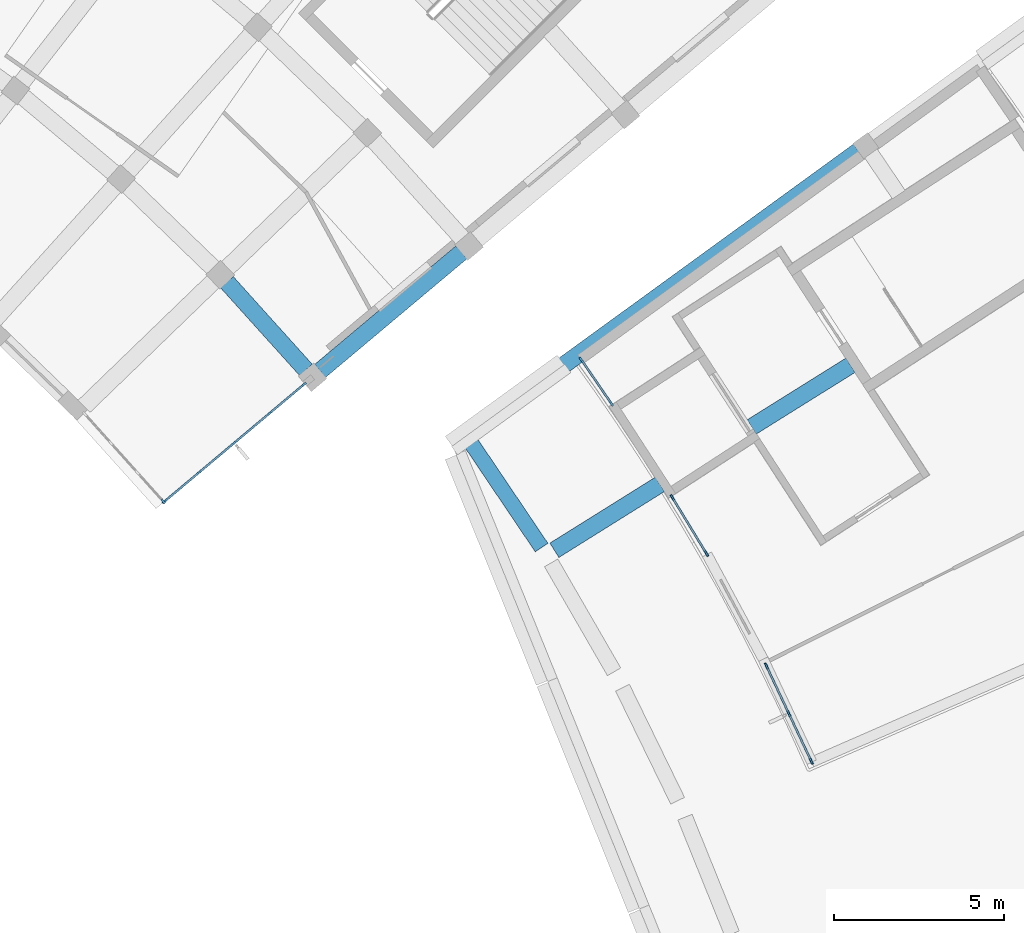
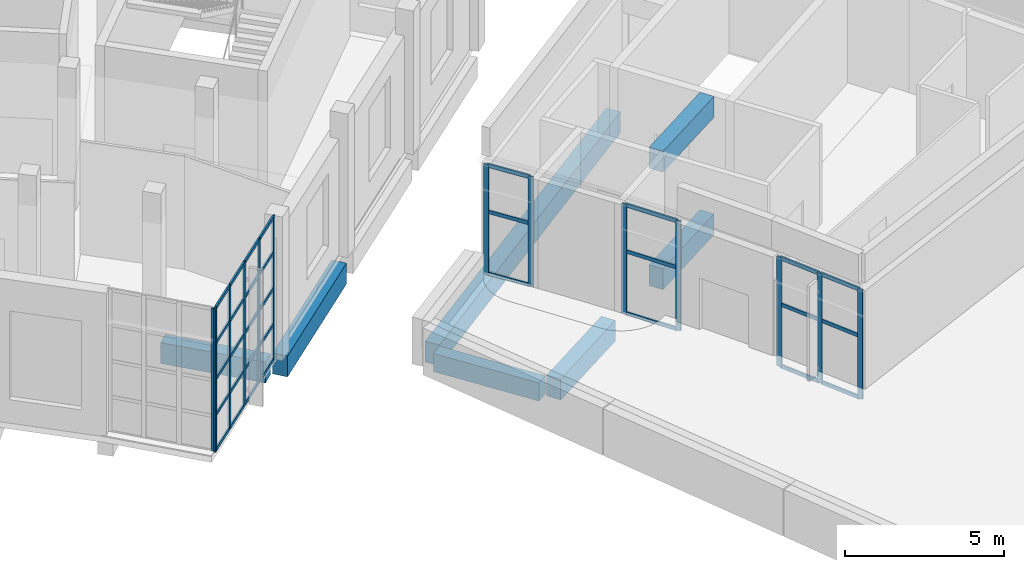
# One storey, part 45 of 132: 45 members, 7 beams, 5 elements without a shape of their own.
"""IFC4 building model written with IfcOpenShell, lengths in metres."""

from ifc_helpers import new_model, si_unit, direction, frame, origin, origin_2d, place, context, subcontext, project, spatial, rectangle, extrude, material, layer, layer_set, material_profile, profile_set, type_object, element, aggregate, save


model = new_model("IFC4")

# Units and contexts
model_context = context("Model", 3, precision=1e-05, world=origin(), true_north=direction((0.0, 1.0)))
body_context = subcontext(model_context, "Body", "Model", "MODEL_VIEW")
ifc_project = project(units=[si_unit("LENGTHUNIT", "METRE"), si_unit("AREAUNIT", "SQUARE_METRE"), si_unit("VOLUMEUNIT", "CUBIC_METRE"), si_unit("PLANEANGLEUNIT", "RADIAN"), si_unit("MASSUNIT", "GRAM", prefix="KILO")], contexts=[model_context])

# Site, building, storey
site_placement = place(None, origin())
site = spatial("IfcSite", under=ifc_project, at=site_placement, CompositionType="ELEMENT")
building_placement = place(site_placement, origin())
building = spatial("IfcBuilding", under=site, at=building_placement, Name="Lunette Opera House", CompositionType="ELEMENT")
storey_placement = place(building_placement, frame((0.0, 0.0, 17.0)))
storey = spatial("IfcBuildingStorey", under=building, at=storey_placement, Name="L03", CompositionType="ELEMENT", Elevation=17.0)

# Curtain wall, member
ifc_material_1 = material(Name="Aluminium", Category="aluminium")
ifc_layer_1 = layer(ifc_material_1, 0.159912109375)
ifc_layer_set_1 = layer_set([ifc_layer_1], Name="Aluminium")
curtain_wall_type_1 = type_object("IfcCurtainWallType", Name="CORNER CURTAIN WALL", PredefinedType="NOTDEFINED", material=ifc_layer_set_1)
curtain_wall_1_placement = place(storey_placement, origin())
curtain_wall_1 = element("IfcCurtainWall", 1, at=curtain_wall_1_placement, inside=storey, type_object=curtain_wall_type_1, Name="Corner Curtain Wall GC-E1 L03", PredefinedType="NOTDEFINED")
ifc_material_2 = material(Name="Aluminium", Category="aluminium")
ifc_material_profile_1 = material_profile(ifc_material_2, rectangle(XDim=0.06005859375, YDim=0.159912109375, at=origin_2d()), Name="MULLION 60 X 160")
ifc_profile_set_1 = profile_set([ifc_material_profile_1], Name="Aluminium")
member_type_1 = type_object("IfcMemberType", Name="MULLION 60 X 160", PredefinedType="MULLION", material=ifc_profile_set_1)
member_1_placement = place(storey_placement, frame((136.0439453125, 33.640380859375, 0.0), z_axis=(0.0, 0.0, 1.0), x_axis=(0.744216793887, 0.667938143615, 0.0)))
member_1 = element("IfcMember", 2, at=member_1_placement, type_object=member_type_1, Name="FC-X2177 mullion 4", PredefinedType="MULLION", context=body_context, shape_type="SweptSolid", body=[
    extrude(rectangle(XDim=0.06005859375, YDim=0.159912109375, at=origin_2d()), origin(), (0.0, 0.0, 1.0), 5.5),
])
aggregate(curtain_wall_1, [member_1])

# Curtain wall, members
curtain_wall_2_placement = place(storey_placement, origin())
curtain_wall_2 = element("IfcCurtainWall", 3, at=curtain_wall_2_placement, inside=storey, type_object=curtain_wall_type_1, Name="Corner Curtain Wall GC-E2 L03", PredefinedType="NOTDEFINED")
member_2_placement = place(storey_placement, frame((136.0869140625, 33.63720703125, 0.0), z_axis=(0.0, 0.0, 1.0), x_axis=(-0.642840201999, 0.766000309852, 0.0)))
member_2 = element("IfcMember", 4, at=member_2_placement, type_object=member_type_1, Name="FC-X2178 mullion 1", PredefinedType="MULLION", context=body_context, shape_type="SweptSolid", body=[
    extrude(rectangle(XDim=0.06005859375, YDim=0.159912109375, at=origin_2d()), origin(), (0.0, 0.0, 1.0), 5.5),
])
member_3_placement = place(storey_placement, frame((137.097900390625, 34.48583984375, 0.0), z_axis=(0.0, 0.0, 1.0), x_axis=(-0.642840201999, 0.766000309852, 0.0)))
member_3 = element("IfcMember", 5, at=member_3_placement, type_object=member_type_1, Name="FC-X2178 mullion 2", PredefinedType="MULLION", context=body_context, shape_type="SweptSolid", body=[
    extrude(rectangle(XDim=0.06005859375, YDim=0.159912109375, at=origin_2d()), origin(), (0.0, 0.0, 1.0), 5.5),
])
member_4_placement = place(storey_placement, frame((138.132080078125, 35.353515625, 0.0), z_axis=(0.0, 0.0, 1.0), x_axis=(-0.642840201999, 0.766000309852, 0.0)))
member_4 = element("IfcMember", 6, at=member_4_placement, type_object=member_type_1, Name="FC-X2178 mullion 3", PredefinedType="MULLION", context=body_context, shape_type="SweptSolid", body=[
    extrude(rectangle(XDim=0.06005859375, YDim=0.159912109375, at=origin_2d()), origin(), (0.0, 0.0, 1.0), 5.5),
])
member_5_placement = place(storey_placement, frame((139.166015625, 36.22119140625, 0.0), z_axis=(0.0, 0.0, 1.0), x_axis=(-0.642840201999, 0.766000309852, 0.0)))
member_5 = element("IfcMember", 7, at=member_5_placement, type_object=member_type_1, Name="FC-X2178 mullion 4", PredefinedType="MULLION", context=body_context, shape_type="SweptSolid", body=[
    extrude(rectangle(XDim=0.06005859375, YDim=0.159912109375, at=origin_2d()), origin(), (0.0, 0.0, 1.0), 5.5),
])
member_6_placement = place(storey_placement, frame((140.177001953125, 37.06982421875, 0.0), z_axis=(0.0, 0.0, 1.0), x_axis=(-0.642840201999, 0.766000309852, 0.0)))
member_6 = element("IfcMember", 8, at=member_6_placement, type_object=member_type_1, Name="FC-X2178 mullion 5", PredefinedType="MULLION", context=body_context, shape_type="SweptSolid", body=[
    extrude(rectangle(XDim=0.06005859375, YDim=0.159912109375, at=origin_2d()), origin(), (0.0, 0.0, 1.0), 5.5),
])

ifc_material_3 = material(Name="Aluminium", Category="aluminium")
ifc_layer_2 = layer(ifc_material_3, 0.179931640625)
ifc_layer_set_2 = layer_set([ifc_layer_2], Name="Aluminium")
curtain_wall_type_2 = type_object("IfcCurtainWallType", Name="SUN FACE CURTAIN WALL", PredefinedType="NOTDEFINED", material=ifc_layer_set_2)
curtain_wall_3_placement = place(storey_placement, origin())
curtain_wall_3 = element("IfcCurtainWall", 9, at=curtain_wall_3_placement, inside=storey, type_object=curtain_wall_type_2, Name="Sun Face Curtain Wall PAV3 L03", PredefinedType="NOTDEFINED")
ifc_material_4 = material(Name="Aluminium", Category="aluminium")
ifc_material_profile_2 = material_profile(ifc_material_4, rectangle(XDim=0.06005859375, YDim=0.179931640625, at=origin_2d()), Name="MULLION 60 X 180")
ifc_profile_set_2 = profile_set([ifc_material_profile_2], Name="Aluminium")
member_type_2 = type_object("IfcMemberType", Name="MULLION 60 X 180", PredefinedType="MULLION", material=ifc_profile_set_2)
member_7_placement = place(storey_placement, frame((148.325927734375, 37.794189453125, 0.0), z_axis=(0.0, 0.0, 1.0), x_axis=(0.825002153661, 0.565129583772, 0.0)))
member_7 = element("IfcMember", 10, at=member_7_placement, type_object=member_type_2, Name="SB-X2019 mullion 1", PredefinedType="MULLION", context=body_context, shape_type="SweptSolid", body=[
    extrude(rectangle(XDim=0.06005859375, YDim=0.179931640625, at=origin_2d()), origin(), (0.0, 0.0, 1.0), 4.199951171875),
])
member_8_placement = place(storey_placement, frame((149.200927734375, 36.516845703125, 0.0), z_axis=(0.0, 0.0, 1.0), x_axis=(0.825002153661, 0.565129583772, 0.0)))
member_8 = element("IfcMember", 11, at=member_8_placement, type_object=member_type_2, Name="SB-X2019 mullion 2", PredefinedType="MULLION", context=body_context, shape_type="SweptSolid", body=[
    extrude(rectangle(XDim=0.06005859375, YDim=0.179931640625, at=origin_2d()), origin(), (0.0, 0.0, 1.0), 4.199951171875),
])

curtain_wall_4_placement = place(storey_placement, origin())
curtain_wall_4 = element("IfcCurtainWall", 12, at=curtain_wall_4_placement, inside=storey, type_object=curtain_wall_type_2, Name="Sun Face Curtain Wall PAV4 L03", PredefinedType="NOTDEFINED")
member_9_placement = place(storey_placement, frame((150.99755859375, 33.748291015625, 0.0), z_axis=(0.0, 0.0, 1.0), x_axis=(0.85400379552, 0.520266775066, 0.0)))
member_9 = element("IfcMember", 13, at=member_9_placement, type_object=member_type_2, Name="SB-X2020 mullion 1", PredefinedType="MULLION", context=body_context, shape_type="SweptSolid", body=[
    extrude(rectangle(XDim=0.06005859375, YDim=0.179931640625, at=origin_2d()), origin(), (0.0, 0.0, 1.0), 4.199951171875),
])
member_10_placement = place(storey_placement, frame((151.998291015625, 32.105712890625, 0.0), z_axis=(0.0, 0.0, 1.0), x_axis=(0.85400379552, 0.520266775066, 0.0)))
member_10 = element("IfcMember", 14, at=member_10_placement, type_object=member_type_2, Name="SB-X2020 mullion 2", PredefinedType="MULLION", context=body_context, shape_type="SweptSolid", body=[
    extrude(rectangle(XDim=0.06005859375, YDim=0.179931640625, at=origin_2d()), origin(), (0.0, 0.0, 1.0), 4.199951171875),
])

curtain_wall_5_placement = place(storey_placement, origin())
curtain_wall_5 = element("IfcCurtainWall", 15, at=curtain_wall_5_placement, inside=storey, type_object=curtain_wall_type_2, Name="Sun Face Curtain Wall PAV6 L03", PredefinedType="NOTDEFINED")
member_11_placement = place(storey_placement, frame((153.7587890625, 28.807861328125, 0.0), z_axis=(0.0, 0.0, 1.0), x_axis=(0.904818702205, 0.425797036322, 0.0)))
member_11 = element("IfcMember", 16, at=member_11_placement, type_object=member_type_2, Name="SB-X2021 mullion 1", PredefinedType="MULLION", context=body_context, shape_type="SweptSolid", body=[
    extrude(rectangle(XDim=0.06005859375, YDim=0.179931640625, at=origin_2d()), origin(), (0.0, 0.0, 1.0), 4.199951171875),
])
member_12_placement = place(storey_placement, frame((154.41796875, 27.406982421875, 0.0), z_axis=(0.0, 0.0, 1.0), x_axis=(0.904818702205, 0.425797036322, 0.0)))
member_12 = element("IfcMember", 17, at=member_12_placement, type_object=member_type_2, Name="SB-X2021 mullion 2", PredefinedType="MULLION", context=body_context, shape_type="SweptSolid", body=[
    extrude(rectangle(XDim=0.06005859375, YDim=0.179931640625, at=origin_2d()), origin(), (0.0, 0.0, 1.0), 4.199951171875),
])
member_13_placement = place(storey_placement, frame((155.0771484375, 26.006103515625, 0.0), z_axis=(0.0, 0.0, 1.0), x_axis=(0.904818702205, 0.425797036322, 0.0)))
member_13 = element("IfcMember", 18, at=member_13_placement, type_object=member_type_2, Name="SB-X2021 mullion 3", PredefinedType="MULLION", context=body_context, shape_type="SweptSolid", body=[
    extrude(rectangle(XDim=0.06005859375, YDim=0.179931640625, at=origin_2d()), origin(), (0.0, 0.0, 1.0), 4.199951171875),
])

# Beams
ifc_material_5 = material(Name="Concrete C35/45", Category="concrete")
ifc_material_profile_3 = material_profile(ifc_material_5, rectangle(XDim=0.449951171875, YDim=0.699951171875, at=origin_2d()), Name="RC BEAM 450X700")
ifc_profile_set_3 = profile_set([ifc_material_profile_3], Name="Concrete C35/45")
beam_type_1 = type_object("IfcBeamType", Name="RC BEAM 450X700", PredefinedType="BEAM", material=ifc_profile_set_3)
beam_1_placement = place(storey_placement, frame((145.093994140625, 35.341064453125, -0.64990234375), z_axis=(0.559238901912, -0.829006544358, 0.0), x_axis=(0.829006544358, 0.559238901912, 0.0)))
element("IfcBeam", 19, at=beam_1_placement, inside=storey, type_object=beam_type_1, Name="beam-SB-L03-L03G-RG00", PredefinedType="BEAM", context=body_context, shape_type="SweptSolid", body=[
    extrude(rectangle(XDim=0.449951171875, YDim=0.699951171875, at=origin_2d()), origin(), (0.0, 0.0, 1.0), 3.6923828125),
])
ifc_material_6 = material(Name="Concrete C35/45", Category="concrete")
ifc_material_profile_4 = material_profile(ifc_material_6, rectangle(XDim=0.5, YDim=0.800048828125, at=origin_2d()), Name="RC BEAM 500X800")
ifc_profile_set_4 = profile_set([ifc_material_profile_4], Name="Concrete C35/45")
beam_type_2 = type_object("IfcBeamType", Name="RC BEAM 500X800", PredefinedType="BEAM", material=ifc_profile_set_4)
beam_2_placement = place(storey_placement, frame((140.653076171875, 37.468017578125, -0.6201171875), z_axis=(0.766038417281, 0.642794790932, 0.0), x_axis=(-0.642794790932, 0.766038417281, 0.0)))
element("IfcBeam", 20, at=beam_2_placement, inside=storey, type_object=beam_type_2, Name="beam-FC-L03-L03-RB-RL-26-2", PredefinedType="BEAM", context=body_context, shape_type="SweptSolid", body=[
    extrude(rectangle(XDim=0.5, YDim=0.800048828125, at=origin_2d()), origin(), (0.0, 0.0, 1.0), 5.419921875),
])
beam_3_placement = place(storey_placement, frame((137.916015625, 40.073974609375, -0.6201171875), z_axis=(0.66939642039, -0.742905399341, 0.0), x_axis=(0.742905399341, 0.66939642039, 0.0)))
element("IfcBeam", 21, at=beam_3_placement, inside=storey, type_object=beam_type_2, Name="beam-FC-L03-L03-RG-AR-M1-RL-25", PredefinedType="BEAM", context=body_context, shape_type="SweptSolid", body=[
    extrude(rectangle(XDim=0.5, YDim=0.800048828125, at=origin_2d()), origin(), (0.0, 0.0, 1.0), 3.46728515625),
])
beam_4_placement = place(storey_placement, frame((145.159912109375, 35.717041015625, -0.699951171875), z_axis=(0.809032229307, 0.587764282636, 0.0), x_axis=(-0.587764282636, 0.809032229307, 0.0)))
element("IfcBeam", 22, at=beam_4_placement, inside=storey, type_object=beam_type_2, Name="beam-SB-L03-L03G-RB00", PredefinedType="BEAM", context=body_context, shape_type="SweptSolid", body=[
    extrude(rectangle(XDim=0.5, YDim=0.800048828125, at=origin_2d()), origin(), (0.0, 0.0, 1.0), 13.9697265625),
])
beam_5_placement = place(storey_placement, frame((147.531982421875, 32.200927734375, -0.699951171875), z_axis=(0.848110889275, 0.529818760986, 0.0), x_axis=(-0.529818760986, 0.848110889275, 0.0)))
element("IfcBeam", 23, at=beam_5_placement, inside=storey, type_object=beam_type_2, Name="beam-SB-L03-L03G-RB01", PredefinedType="BEAM", context=body_context, shape_type="SweptSolid", body=[
    extrude(rectangle(XDim=0.5, YDim=0.800048828125, at=origin_2d()), origin(), (0.0, 0.0, 1.0), 3.654052734375),
])
for number, where, z_axis, x_axis, name in (
    (24, (153.3291015625, 35.822998046875, -0.699951171875), (0.848054454248, 0.529909089024, 0.0), (-0.529909089024, 0.848054454248, 0.0), "beam-SB-L03-L03G-RB01-1"),
    (25, (153.3291015625, 35.822998046875, 3.800048828125), (0.848054454248, 0.529909089024, 0.0), (-0.529909089024, 0.848054454248, 0.0), "beam-SB-L03-L03R-RB01"),
):
    element("IfcBeam", number, at=place(storey_placement, frame(where, z_axis=z_axis, x_axis=x_axis)), inside=storey, type_object=beam_type_2, Name=name, PredefinedType="BEAM", context=body_context, shape_type="SweptSolid", body=[
        extrude(rectangle(XDim=0.5, YDim=0.800048828125, at=origin_2d()), origin(), (0.0, 0.0, 1.0), 3.41943359375),
    ])

# Member
ifc_material_7 = material(Name="Aluminium", Category="aluminium")
ifc_material_profile_5 = material_profile(ifc_material_7, rectangle(XDim=0.06005859375, YDim=0.1201171875, at=origin_2d()), Name="TRANSOM 60 X 120")
ifc_profile_set_5 = profile_set([ifc_material_profile_5], Name="Aluminium")
member_type_3 = type_object("IfcMemberType", Name="TRANSOM 60 X 120", PredefinedType="USERDEFINED", material=ifc_profile_set_5)
member_14_placement = place(storey_placement, frame((136.10986328125, 33.656494140625, 0.030029296875), z_axis=(0.765945288288, 0.642905759307, 0.0), x_axis=(-0.642905759307, 0.765945288288, 0.0)))
member_14 = element("IfcMember", 26, at=member_14_placement, type_object=member_type_3, Name="FC-X2178 transom 1.1", ObjectType="TRANSOM", PredefinedType="USERDEFINED", context=body_context, shape_type="SweptSolid", body=[
    extrude(rectangle(XDim=0.06005859375, YDim=0.1201171875, at=origin_2d()), origin(), (0.0, 0.0, 1.0), 1.260009765625),
])

member_15_placement = place(storey_placement, frame((136.10986328125, 33.656494140625, 1.375), z_axis=(0.765945288288, 0.642905759307, 0.0), x_axis=(-0.642905759307, 0.765945288288, 0.0)))
member_15 = element("IfcMember", 27, at=member_15_placement, type_object=member_type_3, Name="FC-X2178 transom 1.2", ObjectType="TRANSOM", PredefinedType="USERDEFINED", context=body_context, shape_type="SweptSolid", body=[
    extrude(rectangle(XDim=0.06005859375, YDim=0.1201171875, at=origin_2d()), origin(), (0.0, 0.0, 1.0), 1.260009765625),
])

member_16_placement = place(storey_placement, frame((136.10986328125, 33.656494140625, 2.75), z_axis=(0.765945288288, 0.642905759307, 0.0), x_axis=(-0.642905759307, 0.765945288288, 0.0)))
member_16 = element("IfcMember", 28, at=member_16_placement, type_object=member_type_3, Name="FC-X2178 transom 1.3", ObjectType="TRANSOM", PredefinedType="USERDEFINED", context=body_context, shape_type="SweptSolid", body=[
    extrude(rectangle(XDim=0.06005859375, YDim=0.1201171875, at=origin_2d()), origin(), (0.0, 0.0, 1.0), 1.260009765625),
])

member_17_placement = place(storey_placement, frame((136.10986328125, 33.656494140625, 4.125), z_axis=(0.765945288288, 0.642905759307, 0.0), x_axis=(-0.642905759307, 0.765945288288, 0.0)))
member_17 = element("IfcMember", 29, at=member_17_placement, type_object=member_type_3, Name="FC-X2178 transom 1.4", ObjectType="TRANSOM", PredefinedType="USERDEFINED", context=body_context, shape_type="SweptSolid", body=[
    extrude(rectangle(XDim=0.06005859375, YDim=0.1201171875, at=origin_2d()), origin(), (0.0, 0.0, 1.0), 1.260009765625),
])

member_18_placement = place(storey_placement, frame((136.10986328125, 33.656494140625, 5.469970703125), z_axis=(0.765945288288, 0.642905759307, 0.0), x_axis=(-0.642905759307, 0.765945288288, 0.0)))
member_18 = element("IfcMember", 30, at=member_18_placement, type_object=member_type_3, Name="FC-X2178 transom 1.5", ObjectType="TRANSOM", PredefinedType="USERDEFINED", context=body_context, shape_type="SweptSolid", body=[
    extrude(rectangle(XDim=0.06005859375, YDim=0.1201171875, at=origin_2d()), origin(), (0.0, 0.0, 1.0), 1.260009765625),
])

member_19_placement = place(storey_placement, frame((137.12109375, 34.505126953125, 0.030029296875), z_axis=(0.76602917681, 0.642805802927, 0.0), x_axis=(-0.642805802927, 0.76602917681, 0.0)))
member_19 = element("IfcMember", 31, at=member_19_placement, type_object=member_type_3, Name="FC-X2178 transom 2.1", ObjectType="TRANSOM", PredefinedType="USERDEFINED", context=body_context, shape_type="SweptSolid", body=[
    extrude(rectangle(XDim=0.06005859375, YDim=0.1201171875, at=origin_2d()), origin(), (0.0, 0.0, 1.0), 1.289794921875),
])

member_20_placement = place(storey_placement, frame((137.12109375, 34.505126953125, 1.375), z_axis=(0.76602917681, 0.642805802927, 0.0), x_axis=(-0.642805802927, 0.76602917681, 0.0)))
member_20 = element("IfcMember", 32, at=member_20_placement, type_object=member_type_3, Name="FC-X2178 transom 2.2", ObjectType="TRANSOM", PredefinedType="USERDEFINED", context=body_context, shape_type="SweptSolid", body=[
    extrude(rectangle(XDim=0.06005859375, YDim=0.1201171875, at=origin_2d()), origin(), (0.0, 0.0, 1.0), 1.289794921875),
])

member_21_placement = place(storey_placement, frame((137.12109375, 34.505126953125, 2.75), z_axis=(0.76602917681, 0.642805802927, 0.0), x_axis=(-0.642805802927, 0.76602917681, 0.0)))
member_21 = element("IfcMember", 33, at=member_21_placement, type_object=member_type_3, Name="FC-X2178 transom 2.3", ObjectType="TRANSOM", PredefinedType="USERDEFINED", context=body_context, shape_type="SweptSolid", body=[
    extrude(rectangle(XDim=0.06005859375, YDim=0.1201171875, at=origin_2d()), origin(), (0.0, 0.0, 1.0), 1.289794921875),
])

member_22_placement = place(storey_placement, frame((137.12109375, 34.505126953125, 4.125), z_axis=(0.76602917681, 0.642805802927, 0.0), x_axis=(-0.642805802927, 0.76602917681, 0.0)))
member_22 = element("IfcMember", 34, at=member_22_placement, type_object=member_type_3, Name="FC-X2178 transom 2.4", ObjectType="TRANSOM", PredefinedType="USERDEFINED", context=body_context, shape_type="SweptSolid", body=[
    extrude(rectangle(XDim=0.06005859375, YDim=0.1201171875, at=origin_2d()), origin(), (0.0, 0.0, 1.0), 1.289794921875),
])

member_23_placement = place(storey_placement, frame((137.12109375, 34.505126953125, 5.469970703125), z_axis=(0.76602917681, 0.642805802927, 0.0), x_axis=(-0.642805802927, 0.76602917681, 0.0)))
member_23 = element("IfcMember", 35, at=member_23_placement, type_object=member_type_3, Name="FC-X2178 transom 2.5", ObjectType="TRANSOM", PredefinedType="USERDEFINED", context=body_context, shape_type="SweptSolid", body=[
    extrude(rectangle(XDim=0.06005859375, YDim=0.1201171875, at=origin_2d()), origin(), (0.0, 0.0, 1.0), 1.289794921875),
])

member_24_placement = place(storey_placement, frame((138.155029296875, 35.372802734375, 0.030029296875), z_axis=(0.76602917681, 0.642805802927, 0.0), x_axis=(-0.642805802927, 0.76602917681, 0.0)))
member_24 = element("IfcMember", 36, at=member_24_placement, type_object=member_type_3, Name="FC-X2178 transom 3.1", ObjectType="TRANSOM", PredefinedType="USERDEFINED", context=body_context, shape_type="SweptSolid", body=[
    extrude(rectangle(XDim=0.06005859375, YDim=0.1201171875, at=origin_2d()), origin(), (0.0, 0.0, 1.0), 1.289794921875),
])

member_25_placement = place(storey_placement, frame((138.155029296875, 35.372802734375, 1.375), z_axis=(0.76602917681, 0.642805802927, 0.0), x_axis=(-0.642805802927, 0.76602917681, 0.0)))
member_25 = element("IfcMember", 37, at=member_25_placement, type_object=member_type_3, Name="FC-X2178 transom 3.2", ObjectType="TRANSOM", PredefinedType="USERDEFINED", context=body_context, shape_type="SweptSolid", body=[
    extrude(rectangle(XDim=0.06005859375, YDim=0.1201171875, at=origin_2d()), origin(), (0.0, 0.0, 1.0), 1.289794921875),
])

member_26_placement = place(storey_placement, frame((138.155029296875, 35.372802734375, 2.75), z_axis=(0.76602917681, 0.642805802927, 0.0), x_axis=(-0.642805802927, 0.76602917681, 0.0)))
member_26 = element("IfcMember", 38, at=member_26_placement, type_object=member_type_3, Name="FC-X2178 transom 3.3", ObjectType="TRANSOM", PredefinedType="USERDEFINED", context=body_context, shape_type="SweptSolid", body=[
    extrude(rectangle(XDim=0.06005859375, YDim=0.1201171875, at=origin_2d()), origin(), (0.0, 0.0, 1.0), 1.289794921875),
])

member_27_placement = place(storey_placement, frame((138.155029296875, 35.372802734375, 4.125), z_axis=(0.76602917681, 0.642805802927, 0.0), x_axis=(-0.642805802927, 0.76602917681, 0.0)))
member_27 = element("IfcMember", 39, at=member_27_placement, type_object=member_type_3, Name="FC-X2178 transom 3.4", ObjectType="TRANSOM", PredefinedType="USERDEFINED", context=body_context, shape_type="SweptSolid", body=[
    extrude(rectangle(XDim=0.06005859375, YDim=0.1201171875, at=origin_2d()), origin(), (0.0, 0.0, 1.0), 1.289794921875),
])

member_28_placement = place(storey_placement, frame((138.155029296875, 35.372802734375, 5.469970703125), z_axis=(0.76602917681, 0.642805802927, 0.0), x_axis=(-0.642805802927, 0.76602917681, 0.0)))
member_28 = element("IfcMember", 40, at=member_28_placement, type_object=member_type_3, Name="FC-X2178 transom 3.5", ObjectType="TRANSOM", PredefinedType="USERDEFINED", context=body_context, shape_type="SweptSolid", body=[
    extrude(rectangle(XDim=0.06005859375, YDim=0.1201171875, at=origin_2d()), origin(), (0.0, 0.0, 1.0), 1.289794921875),
])

member_29_placement = place(storey_placement, frame((139.18896484375, 36.240478515625, 0.030029296875), z_axis=(0.765945288288, 0.642905759307, 0.0), x_axis=(-0.642905759307, 0.765945288288, 0.0)))
member_29 = element("IfcMember", 41, at=member_29_placement, type_object=member_type_3, Name="FC-X2178 transom 4.1", ObjectType="TRANSOM", PredefinedType="USERDEFINED", context=body_context, shape_type="SweptSolid", body=[
    extrude(rectangle(XDim=0.06005859375, YDim=0.1201171875, at=origin_2d()), origin(), (0.0, 0.0, 1.0), 1.260009765625),
])

member_30_placement = place(storey_placement, frame((139.18896484375, 36.240478515625, 1.375), z_axis=(0.765945288288, 0.642905759307, 0.0), x_axis=(-0.642905759307, 0.765945288288, 0.0)))
member_30 = element("IfcMember", 42, at=member_30_placement, type_object=member_type_3, Name="FC-X2178 transom 4.2", ObjectType="TRANSOM", PredefinedType="USERDEFINED", context=body_context, shape_type="SweptSolid", body=[
    extrude(rectangle(XDim=0.06005859375, YDim=0.1201171875, at=origin_2d()), origin(), (0.0, 0.0, 1.0), 1.260009765625),
])

member_31_placement = place(storey_placement, frame((139.18896484375, 36.240478515625, 2.75), z_axis=(0.765945288288, 0.642905759307, 0.0), x_axis=(-0.642905759307, 0.765945288288, 0.0)))
member_31 = element("IfcMember", 43, at=member_31_placement, type_object=member_type_3, Name="FC-X2178 transom 4.3", ObjectType="TRANSOM", PredefinedType="USERDEFINED", context=body_context, shape_type="SweptSolid", body=[
    extrude(rectangle(XDim=0.06005859375, YDim=0.1201171875, at=origin_2d()), origin(), (0.0, 0.0, 1.0), 1.260009765625),
])

member_32_placement = place(storey_placement, frame((139.18896484375, 36.240478515625, 4.125), z_axis=(0.765945288288, 0.642905759307, 0.0), x_axis=(-0.642905759307, 0.765945288288, 0.0)))
member_32 = element("IfcMember", 44, at=member_32_placement, type_object=member_type_3, Name="FC-X2178 transom 4.4", ObjectType="TRANSOM", PredefinedType="USERDEFINED", context=body_context, shape_type="SweptSolid", body=[
    extrude(rectangle(XDim=0.06005859375, YDim=0.1201171875, at=origin_2d()), origin(), (0.0, 0.0, 1.0), 1.260009765625),
])

member_33_placement = place(storey_placement, frame((139.18896484375, 36.240478515625, 5.469970703125), z_axis=(0.765945288288, 0.642905759307, 0.0), x_axis=(-0.642905759307, 0.765945288288, 0.0)))
member_33 = element("IfcMember", 45, at=member_33_placement, type_object=member_type_3, Name="FC-X2178 transom 4.5", ObjectType="TRANSOM", PredefinedType="USERDEFINED", context=body_context, shape_type="SweptSolid", body=[
    extrude(rectangle(XDim=0.06005859375, YDim=0.1201171875, at=origin_2d()), origin(), (0.0, 0.0, 1.0), 1.260009765625),
])

aggregate(curtain_wall_2, [member_2, member_3, member_4, member_5, member_6, member_14, member_15, member_16, member_17, member_18, member_19, member_20, member_21, member_22, member_23, member_24, member_25, member_26, member_27, member_28, member_29, member_30, member_31, member_32, member_33])

ifc_material_8 = material(Name="Aluminium", Category="aluminium")
ifc_material_profile_6 = material_profile(ifc_material_8, rectangle(XDim=0.06005859375, YDim=0.139892578125, at=origin_2d()), Name="TRANSOM 60 X 140")
ifc_profile_set_6 = profile_set([ifc_material_profile_6], Name="Aluminium")
member_type_4 = type_object("IfcMemberType", Name="TRANSOM 60 X 140", PredefinedType="USERDEFINED", material=ifc_profile_set_6)
member_34_placement = place(storey_placement, frame((148.343017578125, 37.76953125, 0.030029296875), z_axis=(0.565066064194, -0.825045661219, 0.0), x_axis=(0.825045661219, 0.565066064194, 0.0)))
member_34 = element("IfcMember", 46, at=member_34_placement, type_object=member_type_4, Name="SB-X2019 transom 1.1", ObjectType="TRANSOM", PredefinedType="USERDEFINED", context=body_context, shape_type="SweptSolid", body=[
    extrude(rectangle(XDim=0.06005859375, YDim=0.139892578125, at=origin_2d()), origin(), (0.0, 0.0, 1.0), 1.488525390625),
])

member_35_placement = place(storey_placement, frame((148.343017578125, 37.76953125, 2.39990234375), z_axis=(0.565066064194, -0.825045661219, 0.0), x_axis=(0.825045661219, 0.565066064194, 0.0)))
member_35 = element("IfcMember", 47, at=member_35_placement, type_object=member_type_4, Name="SB-X2019 transom 1.2", ObjectType="TRANSOM", PredefinedType="USERDEFINED", context=body_context, shape_type="SweptSolid", body=[
    extrude(rectangle(XDim=0.06005859375, YDim=0.139892578125, at=origin_2d()), origin(), (0.0, 0.0, 1.0), 1.488525390625),
])

member_36_placement = place(storey_placement, frame((148.343017578125, 37.76953125, 4.169921875), z_axis=(0.565066064194, -0.825045661219, 0.0), x_axis=(0.825045661219, 0.565066064194, 0.0)))
member_36 = element("IfcMember", 48, at=member_36_placement, type_object=member_type_4, Name="SB-X2019 transom 1.3", ObjectType="TRANSOM", PredefinedType="USERDEFINED", context=body_context, shape_type="SweptSolid", body=[
    extrude(rectangle(XDim=0.06005859375, YDim=0.139892578125, at=origin_2d()), origin(), (0.0, 0.0, 1.0), 1.488525390625),
])

aggregate(curtain_wall_3, [member_7, member_8, member_34, member_35, member_36])

member_37_placement = place(storey_placement, frame((151.01318359375, 33.72265625, 0.030029296875), z_axis=(0.520283584777, -0.853993554666, 0.0), x_axis=(0.853993554666, 0.520283584777, 0.0)))
member_37 = element("IfcMember", 49, at=member_37_placement, type_object=member_type_4, Name="SB-X2020 transom 1.1", ObjectType="TRANSOM", PredefinedType="USERDEFINED", context=body_context, shape_type="SweptSolid", body=[
    extrude(rectangle(XDim=0.06005859375, YDim=0.139892578125, at=origin_2d()), origin(), (0.0, 0.0, 1.0), 1.86328125),
])

member_38_placement = place(storey_placement, frame((151.01318359375, 33.72265625, 2.39990234375), z_axis=(0.520283584777, -0.853993554666, 0.0), x_axis=(0.853993554666, 0.520283584777, 0.0)))
member_38 = element("IfcMember", 50, at=member_38_placement, type_object=member_type_4, Name="SB-X2020 transom 1.2", ObjectType="TRANSOM", PredefinedType="USERDEFINED", context=body_context, shape_type="SweptSolid", body=[
    extrude(rectangle(XDim=0.06005859375, YDim=0.139892578125, at=origin_2d()), origin(), (0.0, 0.0, 1.0), 1.86328125),
])

member_39_placement = place(storey_placement, frame((151.01318359375, 33.72265625, 4.169921875), z_axis=(0.520283584777, -0.853993554666, 0.0), x_axis=(0.853993554666, 0.520283584777, 0.0)))
member_39 = element("IfcMember", 51, at=member_39_placement, type_object=member_type_4, Name="SB-X2020 transom 1.3", ObjectType="TRANSOM", PredefinedType="USERDEFINED", context=body_context, shape_type="SweptSolid", body=[
    extrude(rectangle(XDim=0.06005859375, YDim=0.139892578125, at=origin_2d()), origin(), (0.0, 0.0, 1.0), 1.86328125),
])

aggregate(curtain_wall_4, [member_9, member_10, member_37, member_38, member_39])

member_40_placement = place(storey_placement, frame((153.771484375, 28.78076171875, 0.030029296875), z_axis=(0.425828634418, -0.904803831838, 0.0), x_axis=(0.904803831838, 0.425828634418, 0.0)))
member_40 = element("IfcMember", 52, at=member_40_placement, type_object=member_type_4, Name="SB-X2021 transom 1.1", ObjectType="TRANSOM", PredefinedType="USERDEFINED", context=body_context, shape_type="SweptSolid", body=[
    extrude(rectangle(XDim=0.06005859375, YDim=0.139892578125, at=origin_2d()), origin(), (0.0, 0.0, 1.0), 1.48828125),
])

member_41_placement = place(storey_placement, frame((153.771484375, 28.78076171875, 2.39990234375), z_axis=(0.425828634418, -0.904803831838, 0.0), x_axis=(0.904803831838, 0.425828634418, 0.0)))
member_41 = element("IfcMember", 53, at=member_41_placement, type_object=member_type_4, Name="SB-X2021 transom 1.2", ObjectType="TRANSOM", PredefinedType="USERDEFINED", context=body_context, shape_type="SweptSolid", body=[
    extrude(rectangle(XDim=0.06005859375, YDim=0.139892578125, at=origin_2d()), origin(), (0.0, 0.0, 1.0), 1.48828125),
])

member_42_placement = place(storey_placement, frame((153.771484375, 28.78076171875, 4.169921875), z_axis=(0.425828634418, -0.904803831838, 0.0), x_axis=(0.904803831838, 0.425828634418, 0.0)))
member_42 = element("IfcMember", 54, at=member_42_placement, type_object=member_type_4, Name="SB-X2021 transom 1.3", ObjectType="TRANSOM", PredefinedType="USERDEFINED", context=body_context, shape_type="SweptSolid", body=[
    extrude(rectangle(XDim=0.06005859375, YDim=0.139892578125, at=origin_2d()), origin(), (0.0, 0.0, 1.0), 1.48828125),
])

member_43_placement = place(storey_placement, frame((154.4306640625, 27.3798828125, 0.030029296875), z_axis=(0.425828634418, -0.904803831838, 0.0), x_axis=(0.904803831838, 0.425828634418, 0.0)))
member_43 = element("IfcMember", 55, at=member_43_placement, type_object=member_type_4, Name="SB-X2021 transom 2.1", ObjectType="TRANSOM", PredefinedType="USERDEFINED", context=body_context, shape_type="SweptSolid", body=[
    extrude(rectangle(XDim=0.06005859375, YDim=0.139892578125, at=origin_2d()), origin(), (0.0, 0.0, 1.0), 1.48828125),
])

member_44_placement = place(storey_placement, frame((154.4306640625, 27.3798828125, 2.39990234375), z_axis=(0.425828634418, -0.904803831838, 0.0), x_axis=(0.904803831838, 0.425828634418, 0.0)))
member_44 = element("IfcMember", 56, at=member_44_placement, type_object=member_type_4, Name="SB-X2021 transom 2.2", ObjectType="TRANSOM", PredefinedType="USERDEFINED", context=body_context, shape_type="SweptSolid", body=[
    extrude(rectangle(XDim=0.06005859375, YDim=0.139892578125, at=origin_2d()), origin(), (0.0, 0.0, 1.0), 1.48828125),
])

member_45_placement = place(storey_placement, frame((154.4306640625, 27.3798828125, 4.169921875), z_axis=(0.425828634418, -0.904803831838, 0.0), x_axis=(0.904803831838, 0.425828634418, 0.0)))
member_45 = element("IfcMember", 57, at=member_45_placement, type_object=member_type_4, Name="SB-X2021 transom 2.3", ObjectType="TRANSOM", PredefinedType="USERDEFINED", context=body_context, shape_type="SweptSolid", body=[
    extrude(rectangle(XDim=0.06005859375, YDim=0.139892578125, at=origin_2d()), origin(), (0.0, 0.0, 1.0), 1.48828125),
])

aggregate(curtain_wall_5, [member_11, member_12, member_13, member_40, member_41, member_42, member_43, member_44, member_45])

save(model, "model.ifc")
